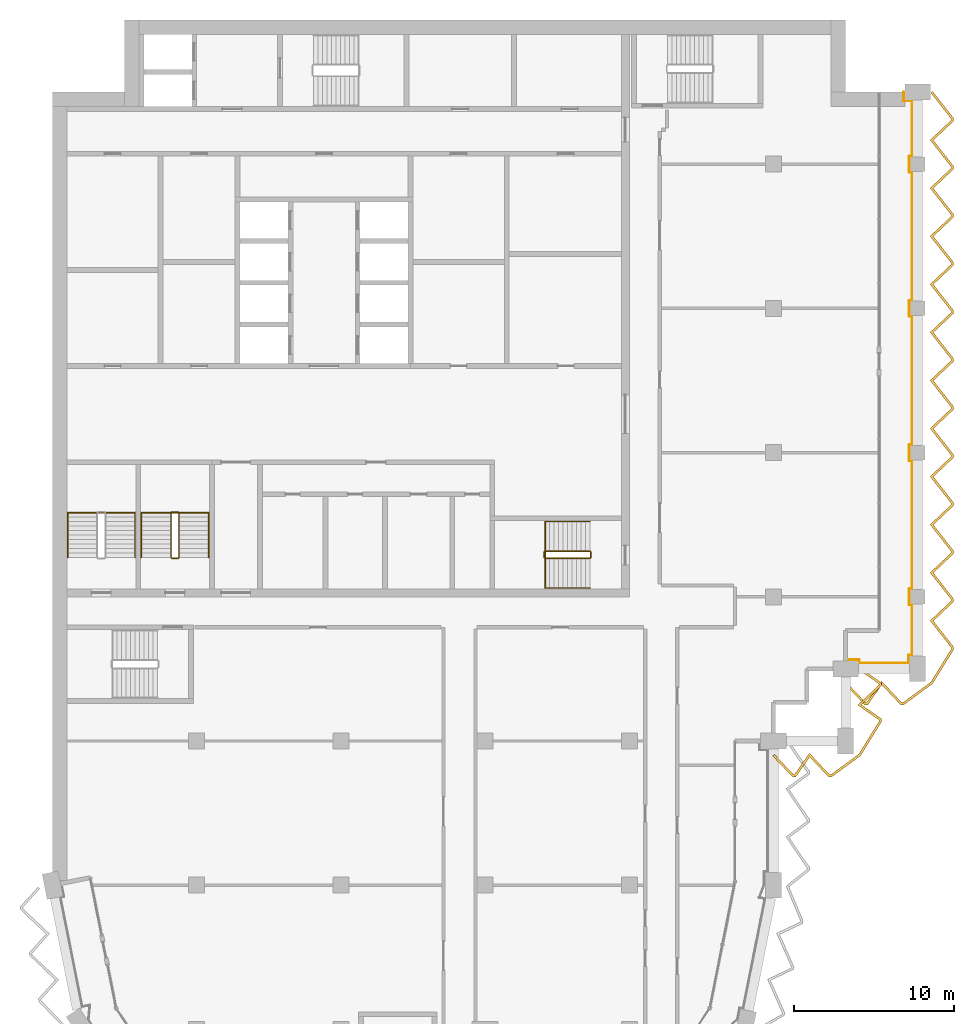
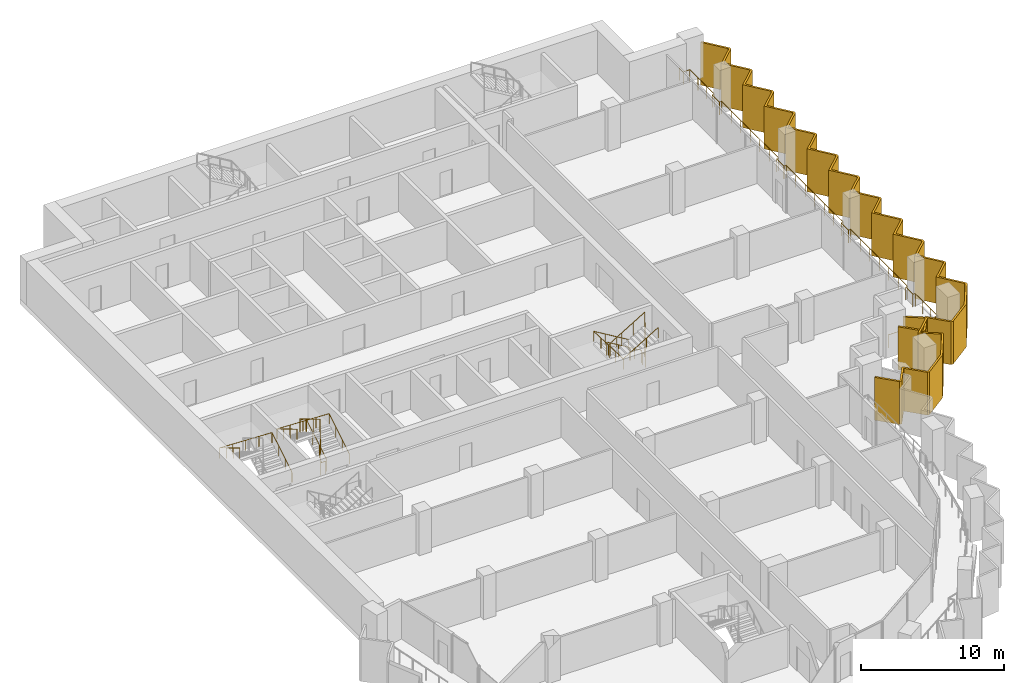
# One storey, part 15 of 16: 6 railings, 2 shading devices.
"""IFC4 building model written with IfcOpenShell, lengths in metres."""

from ifc_helpers import new_model, si_unit, direction, frame, origin, origin_2d, place, context, subcontext, project, spatial, polyline, circle, outline, extrude, material, layer, layer_set, type_object, element, save


model = new_model("IFC4")

# Units and contexts
model_context = context("Model", 3, precision=1e-05, world=origin(), true_north=direction((0.0, 1.0)))
body_context = subcontext(model_context, "Body", "Model", "MODEL_VIEW")
ifc_project = project(units=[si_unit("LENGTHUNIT", "METRE"), si_unit("AREAUNIT", "SQUARE_METRE"), si_unit("VOLUMEUNIT", "CUBIC_METRE"), si_unit("PLANEANGLEUNIT", "RADIAN"), si_unit("MASSUNIT", "GRAM", prefix="KILO")], contexts=[model_context])

# Site, building, storey
site_placement = place(None, origin())
site = spatial("IfcSite", under=ifc_project, at=site_placement, CompositionType="ELEMENT")
building_placement = place(site_placement, origin())
building = spatial("IfcBuilding", under=site, at=building_placement, Name="Hunhe Ridgeline Campus", CompositionType="ELEMENT")
storey_placement = place(building_placement, frame((0.0, 0.0, 239.199951171875)))
storey = spatial("IfcBuildingStorey", under=building, at=storey_placement, Name="L61", CompositionType="ELEMENT", Elevation=239.199951171875)

# Railing
ifc_material_1 = material(Name="Steel Q355", Category="steel")
railing_type_1 = type_object("IfcRailingType", Name="Loggia guard 1100 Steel Q355", PredefinedType="GUARDRAIL", material=ifc_material_1)
railing_1_placement = place(storey_placement, frame((49.5, 59.070068359375, 0.0)))
element("IfcRailing", 1, at=railing_1_placement, inside=storey, type_object=railing_type_1, Name="Loggia guard 2", PredefinedType="GUARDRAIL", context=body_context, shape_type="SweptSolid", body=[
    extrude(circle(Radius=0.02392578125, at=origin_2d()), frame((0.0, 0.0, 1.076171875), z_axis=(1.0, 0.0, 0.0), x_axis=(0.0, 1.0, 0.0)), (0.0, 0.0, 1.0), 0.85009765625),
    extrude(circle(Radius=0.02392578125, at=origin_2d()), frame((0.85009765625, 0.0, 1.076171875), z_axis=(0.0, -1.0, 0.0), x_axis=(1.0, 0.0, 0.0)), (0.0, 0.0, 1.0), 0.219970703125),
    extrude(circle(Radius=0.02392578125, at=origin_2d()), frame((0.85009765625, -0.219970703125, 1.076171875), z_axis=(1.0, 0.0, 0.0), x_axis=(0.0, 1.0, 0.0)), (0.0, 0.0, 1.0), 3.099853515625),
    extrude(circle(Radius=0.02392578125, at=origin_2d()), frame((3.949951171875, -0.219970703125, 1.076171875), z_axis=(0.0, 1.0, 0.0), x_axis=(-1.0, 0.0, 0.0)), (0.0, 0.0, 1.0), 0.52001953125),
    extrude(circle(Radius=0.02392578125, at=origin_2d()), frame((3.949951171875, 0.300048828125, 1.076171875), z_axis=(-0.066572895244, -0.99778156408, 0.0), x_axis=(0.99778156408, -0.066572895244, 0.0)), (0.0, 0.0, 1.0), 0.30078125),
    extrude(circle(Radius=0.02392578125, at=origin_2d()), frame((3.929931640625, 0.0, 1.076171875), z_axis=(0.0, 1.0, 0.0), x_axis=(-1.0, 0.0, 0.0)), (0.0, 0.0, 1.0), 0.280029296875),
    extrude(circle(Radius=0.02392578125, at=origin_2d()), frame((3.929931640625, 0.280029296875, 1.076171875), z_axis=(1.0, 0.0, 0.0), x_axis=(0.0, 1.0, 0.0)), (0.0, 0.0, 1.0), 0.219970703125),
    extrude(circle(Radius=0.02392578125, at=origin_2d()), frame((4.14990234375, 0.280029296875, 1.076171875), z_axis=(0.0, 1.0, 0.0), x_axis=(-1.0, 0.0, 0.0)), (0.0, 0.0, 1.0), 3.14990234375),
    extrude(circle(Radius=0.02392578125, at=origin_2d()), frame((4.14990234375, 3.429931640625, 1.076171875), z_axis=(-1.0, 0.0, 0.0), x_axis=(0.0, -1.0, 0.0)), (0.0, 0.0, 1.0), 0.169921875),
    extrude(circle(Radius=0.02392578125, at=origin_2d()), frame((3.97998046875, 3.429931640625, 1.076171875), z_axis=(0.0, 1.0, 0.0), x_axis=(-1.0, 0.0, 0.0)), (0.0, 0.0, 1.0), 1.0),
    extrude(circle(Radius=0.02392578125, at=origin_2d()), frame((3.97998046875, 4.429931640625, 1.076171875), z_axis=(1.0, 0.0, 0.0), x_axis=(0.0, 1.0, 0.0)), (0.0, 0.0, 1.0), 0.169921875),
    extrude(circle(Radius=0.02392578125, at=origin_2d()), frame((4.14990234375, 4.429931640625, 1.076171875), z_axis=(0.0, 1.0, 0.0), x_axis=(-1.0, 0.0, 0.0)), (0.0, 0.0, 1.0), 8.0),
    extrude(circle(Radius=0.02392578125, at=origin_2d()), frame((4.14990234375, 12.429931640625, 1.076171875), z_axis=(-1.0, 0.0, 0.0), x_axis=(0.0, -1.0, 0.0)), (0.0, 0.0, 1.0), 0.169921875),
    extrude(circle(Radius=0.02392578125, at=origin_2d()), frame((3.97998046875, 12.429931640625, 1.076171875), z_axis=(0.0, 1.0, 0.0), x_axis=(-1.0, 0.0, 0.0)), (0.0, 0.0, 1.0), 1.0),
    extrude(circle(Radius=0.02392578125, at=origin_2d()), frame((3.97998046875, 13.429931640625, 1.076171875), z_axis=(1.0, 0.0, 0.0), x_axis=(0.0, 1.0, 0.0)), (0.0, 0.0, 1.0), 0.169921875),
    extrude(circle(Radius=0.02392578125, at=origin_2d()), frame((4.14990234375, 13.429931640625, 1.076171875), z_axis=(0.0, 1.0, 0.0), x_axis=(-1.0, 0.0, 0.0)), (0.0, 0.0, 1.0), 8.0),
    extrude(circle(Radius=0.02392578125, at=origin_2d()), frame((4.14990234375, 21.429931640625, 1.076171875), z_axis=(-1.0, 0.0, 0.0), x_axis=(0.0, -1.0, 0.0)), (0.0, 0.0, 1.0), 0.169921875),
    extrude(circle(Radius=0.02392578125, at=origin_2d()), frame((3.97998046875, 21.429931640625, 1.076171875), z_axis=(0.0, 1.0, 0.0), x_axis=(-1.0, 0.0, 0.0)), (0.0, 0.0, 1.0), 1.0),
    extrude(circle(Radius=0.02392578125, at=origin_2d()), frame((3.97998046875, 22.429931640625, 1.076171875), z_axis=(1.0, 0.0, 0.0), x_axis=(0.0, 1.0, 0.0)), (0.0, 0.0, 1.0), 0.169921875),
    extrude(circle(Radius=0.02392578125, at=origin_2d()), frame((4.14990234375, 22.429931640625, 1.076171875), z_axis=(0.0, 1.0, 0.0), x_axis=(-1.0, 0.0, 0.0)), (0.0, 0.0, 1.0), 8.0),
    extrude(circle(Radius=0.02392578125, at=origin_2d()), frame((4.14990234375, 30.429931640625, 1.076171875), z_axis=(-1.0, 0.0, 0.0), x_axis=(0.0, -1.0, 0.0)), (0.0, 0.0, 1.0), 0.169921875),
    extrude(circle(Radius=0.02392578125, at=origin_2d()), frame((3.97998046875, 30.429931640625, 1.076171875), z_axis=(0.0, 1.0, 0.0), x_axis=(-1.0, 0.0, 0.0)), (0.0, 0.0, 1.0), 1.0),
    extrude(circle(Radius=0.02392578125, at=origin_2d()), frame((3.97998046875, 31.429931640625, 1.076171875), z_axis=(1.0, 0.0, 0.0), x_axis=(0.0, 1.0, 0.0)), (0.0, 0.0, 1.0), 0.169921875),
    extrude(circle(Radius=0.02392578125, at=origin_2d()), frame((4.14990234375, 31.429931640625, 1.076171875), z_axis=(0.0, 1.0, 0.0), x_axis=(-1.0, 0.0, 0.0)), (0.0, 0.0, 1.0), 3.449951171875),
    extrude(circle(Radius=0.02392578125, at=origin_2d()), frame((4.14990234375, 34.8798828125, 1.076171875), z_axis=(-1.0, 0.0, 0.0), x_axis=(0.0, -1.0, 0.0)), (0.0, 0.0, 1.0), 0.52001953125),
    extrude(circle(Radius=0.02392578125, at=origin_2d()), frame((3.6298828125, 34.8798828125, 1.076171875), z_axis=(0.0, 1.0, 0.0), x_axis=(-1.0, 0.0, 0.0)), (0.0, 0.0, 1.0), 0.550048828125),
    extrude(circle(Radius=0.02099609375, at=origin_2d()), origin(), (0.0, 0.0, 1.0), 1.052001953125),
    extrude(circle(Radius=0.02099609375, at=origin_2d()), frame((0.85009765625, 0.0, 0.0)), (0.0, 0.0, 1.0), 1.052001953125),
    extrude(circle(Radius=0.02099609375, at=origin_2d()), frame((0.85009765625, -0.219970703125, 0.0)), (0.0, 0.0, 1.0), 1.052001953125),
    extrude(circle(Radius=0.02099609375, at=origin_2d()), frame((1.88330078125, -0.219970703125, 0.0)), (0.0, 0.0, 1.0), 1.052001953125),
    extrude(circle(Radius=0.02099609375, at=origin_2d()), frame((2.916748046875, -0.219970703125, 0.0)), (0.0, 0.0, 1.0), 1.052001953125),
    extrude(circle(Radius=0.02099609375, at=origin_2d()), frame((3.949951171875, -0.219970703125, 0.0)), (0.0, 0.0, 1.0), 1.052001953125),
    extrude(circle(Radius=0.02099609375, at=origin_2d()), frame((3.949951171875, 0.300048828125, 0.0)), (0.0, 0.0, 1.0), 1.052001953125),
    extrude(circle(Radius=0.02099609375, at=origin_2d()), frame((3.929931640625, 0.0, 0.0)), (0.0, 0.0, 1.0), 1.052001953125),
    extrude(circle(Radius=0.02099609375, at=origin_2d()), frame((3.929931640625, 0.280029296875, 0.0)), (0.0, 0.0, 1.0), 1.052001953125),
    extrude(circle(Radius=0.02099609375, at=origin_2d()), frame((4.14990234375, 0.280029296875, 0.0)), (0.0, 0.0, 1.0), 1.052001953125),
    extrude(circle(Radius=0.02099609375, at=origin_2d()), frame((4.14990234375, 1.330078125, 0.0)), (0.0, 0.0, 1.0), 1.052001953125),
    extrude(circle(Radius=0.02099609375, at=origin_2d()), frame((4.14990234375, 2.3798828125, 0.0)), (0.0, 0.0, 1.0), 1.052001953125),
    extrude(circle(Radius=0.02099609375, at=origin_2d()), frame((4.14990234375, 3.429931640625, 0.0)), (0.0, 0.0, 1.0), 1.052001953125),
    extrude(circle(Radius=0.02099609375, at=origin_2d()), frame((3.97998046875, 3.429931640625, 0.0)), (0.0, 0.0, 1.0), 1.052001953125),
    extrude(circle(Radius=0.02099609375, at=origin_2d()), frame((3.97998046875, 4.429931640625, 0.0)), (0.0, 0.0, 1.0), 1.052001953125),
    extrude(circle(Radius=0.02099609375, at=origin_2d()), frame((4.14990234375, 4.429931640625, 0.0)), (0.0, 0.0, 1.0), 1.052001953125),
    extrude(circle(Radius=0.02099609375, at=origin_2d()), frame((4.14990234375, 5.76318359375, 0.0)), (0.0, 0.0, 1.0), 1.052001953125),
    extrude(circle(Radius=0.02099609375, at=origin_2d()), frame((4.14990234375, 7.0966796875, 0.0)), (0.0, 0.0, 1.0), 1.052001953125),
    extrude(circle(Radius=0.02099609375, at=origin_2d()), frame((4.14990234375, 8.429931640625, 0.0)), (0.0, 0.0, 1.0), 1.052001953125),
    extrude(circle(Radius=0.02099609375, at=origin_2d()), frame((4.14990234375, 9.76318359375, 0.0)), (0.0, 0.0, 1.0), 1.052001953125),
    extrude(circle(Radius=0.02099609375, at=origin_2d()), frame((4.14990234375, 11.0966796875, 0.0)), (0.0, 0.0, 1.0), 1.052001953125),
    extrude(circle(Radius=0.02099609375, at=origin_2d()), frame((4.14990234375, 12.429931640625, 0.0)), (0.0, 0.0, 1.0), 1.052001953125),
    extrude(circle(Radius=0.02099609375, at=origin_2d()), frame((3.97998046875, 12.429931640625, 0.0)), (0.0, 0.0, 1.0), 1.052001953125),
    extrude(circle(Radius=0.02099609375, at=origin_2d()), frame((3.97998046875, 13.429931640625, 0.0)), (0.0, 0.0, 1.0), 1.052001953125),
    extrude(circle(Radius=0.02099609375, at=origin_2d()), frame((4.14990234375, 13.429931640625, 0.0)), (0.0, 0.0, 1.0), 1.052001953125),
    extrude(circle(Radius=0.02099609375, at=origin_2d()), frame((4.14990234375, 14.76318359375, 0.0)), (0.0, 0.0, 1.0), 1.052001953125),
    extrude(circle(Radius=0.02099609375, at=origin_2d()), frame((4.14990234375, 16.0966796875, 0.0)), (0.0, 0.0, 1.0), 1.052001953125),
    extrude(circle(Radius=0.02099609375, at=origin_2d()), frame((4.14990234375, 17.429931640625, 0.0)), (0.0, 0.0, 1.0), 1.052001953125),
    extrude(circle(Radius=0.02099609375, at=origin_2d()), frame((4.14990234375, 18.76318359375, 0.0)), (0.0, 0.0, 1.0), 1.052001953125),
    extrude(circle(Radius=0.02099609375, at=origin_2d()), frame((4.14990234375, 20.0966796875, 0.0)), (0.0, 0.0, 1.0), 1.052001953125),
    extrude(circle(Radius=0.02099609375, at=origin_2d()), frame((4.14990234375, 21.429931640625, 0.0)), (0.0, 0.0, 1.0), 1.052001953125),
    extrude(circle(Radius=0.02099609375, at=origin_2d()), frame((3.97998046875, 21.429931640625, 0.0)), (0.0, 0.0, 1.0), 1.052001953125),
    extrude(circle(Radius=0.02099609375, at=origin_2d()), frame((3.97998046875, 22.429931640625, 0.0)), (0.0, 0.0, 1.0), 1.052001953125),
    extrude(circle(Radius=0.02099609375, at=origin_2d()), frame((4.14990234375, 22.429931640625, 0.0)), (0.0, 0.0, 1.0), 1.052001953125),
    extrude(circle(Radius=0.02099609375, at=origin_2d()), frame((4.14990234375, 23.76318359375, 0.0)), (0.0, 0.0, 1.0), 1.052001953125),
    extrude(circle(Radius=0.02099609375, at=origin_2d()), frame((4.14990234375, 25.0966796875, 0.0)), (0.0, 0.0, 1.0), 1.052001953125),
    extrude(circle(Radius=0.02099609375, at=origin_2d()), frame((4.14990234375, 26.429931640625, 0.0)), (0.0, 0.0, 1.0), 1.052001953125),
    extrude(circle(Radius=0.02099609375, at=origin_2d()), frame((4.14990234375, 27.76318359375, 0.0)), (0.0, 0.0, 1.0), 1.052001953125),
    extrude(circle(Radius=0.02099609375, at=origin_2d()), frame((4.14990234375, 29.0966796875, 0.0)), (0.0, 0.0, 1.0), 1.052001953125),
    extrude(circle(Radius=0.02099609375, at=origin_2d()), frame((4.14990234375, 30.429931640625, 0.0)), (0.0, 0.0, 1.0), 1.052001953125),
    extrude(circle(Radius=0.02099609375, at=origin_2d()), frame((3.97998046875, 30.429931640625, 0.0)), (0.0, 0.0, 1.0), 1.052001953125),
    extrude(circle(Radius=0.02099609375, at=origin_2d()), frame((3.97998046875, 31.429931640625, 0.0)), (0.0, 0.0, 1.0), 1.052001953125),
    extrude(circle(Radius=0.02099609375, at=origin_2d()), frame((4.14990234375, 31.429931640625, 0.0)), (0.0, 0.0, 1.0), 1.052001953125),
    extrude(circle(Radius=0.02099609375, at=origin_2d()), frame((4.14990234375, 32.579833984375, 0.0)), (0.0, 0.0, 1.0), 1.052001953125),
    extrude(circle(Radius=0.02099609375, at=origin_2d()), frame((4.14990234375, 33.72998046875, 0.0)), (0.0, 0.0, 1.0), 1.052001953125),
    extrude(circle(Radius=0.02099609375, at=origin_2d()), frame((4.14990234375, 34.8798828125, 0.0)), (0.0, 0.0, 1.0), 1.052001953125),
    extrude(circle(Radius=0.02099609375, at=origin_2d()), frame((3.6298828125, 34.8798828125, 0.0)), (0.0, 0.0, 1.0), 1.052001953125),
    extrude(circle(Radius=0.02099609375, at=origin_2d()), frame((3.6298828125, 35.429931640625, 0.0)), (0.0, 0.0, 1.0), 1.052001953125),
])

# Shading devices
ifc_material_2 = material(Name="Concrete C50", Category="concrete")
ifc_layer = layer(ifc_material_2, 0.14990234375)
ifc_layer_set = layer_set([ifc_layer], Name="Sawtooth concrete fin 150 Concrete C50")
shading_device_type = type_object("IfcShadingDeviceType", Name="Sawtooth concrete fin 150 Concrete C50", PredefinedType="USERDEFINED", material=ifc_layer_set)
shading_device_1_placement = place(storey_placement, frame((0.0, 0.0, -0.949951171875)))
element("IfcShadingDevice", 2, at=shading_device_1_placement, inside=storey, type_object=shading_device_type, Name="Concrete fin screen 2", ObjectType="FIN", PredefinedType="USERDEFINED", context=body_context, shape_type="SweptSolid", body=[
    extrude(outline(polyline([(45.054443359375, 53.176513671875), (44.945556640625, 53.073486328125), (46.19384765625, 51.75), (46.38525390625, 51.75), (47.2587890625, 53.00634765625), (48.44384765625, 51.75), (48.62060546875, 51.75), (50.43115234375, 53.072998046875), (51.75, 55.204833984375), (51.75, 55.38525390625), (50.49365234375, 56.2587890625), (51.75, 57.44384765625), (51.75, 57.63525390625), (50.417724609375, 58.5615234375), (50.332275390625, 58.4384765625), (51.60009765625, 57.556884765625), (51.60009765625, 57.508544921875), (50.25634765625, 56.2412109375), (51.60009765625, 55.306884765625), (51.60009765625, 55.24755859375), (50.31884765625, 53.177001953125), (48.571533203125, 51.89990234375), (48.508544921875, 51.89990234375), (47.2412109375, 53.24365234375), (46.306884765625, 51.89990234375), (46.258544921875, 51.89990234375), (45.054443359375, 53.176513671875)])), origin(), (0.0, 0.0, 1.0), 3.64990234375),
])
shading_device_2_placement = place(storey_placement, frame((0.0, 0.0, -0.949951171875)))
element("IfcShadingDevice", 3, at=shading_device_2_placement, inside=storey, type_object=shading_device_type, Name="Concrete fin screen 3", ObjectType="FIN", PredefinedType="USERDEFINED", context=body_context, shape_type="SweptSolid", body=[
    extrude(outline(polyline([(49.554443359375, 57.676513671875), (49.445556640625, 57.573486328125), (50.69384765625, 56.25), (50.88525390625, 56.25), (51.7587890625, 57.50634765625), (52.94384765625, 56.25), (53.12060546875, 56.25), (54.93115234375, 57.572998046875), (56.25, 59.704833984375), (56.25, 59.8720703125), (54.976318359375, 61.492431640625), (56.25, 62.69384765625), (56.25, 62.8720703125), (54.976318359375, 64.492431640625), (56.25, 65.69384765625), (56.25, 65.8720703125), (54.976318359375, 67.492431640625), (56.25, 68.69384765625), (56.25, 68.8720703125), (54.976318359375, 70.492431640625), (56.25, 71.69384765625), (56.25, 71.8720703125), (54.976318359375, 73.492431640625), (56.25, 74.69384765625), (56.25, 74.8720703125), (54.976318359375, 76.492431640625), (56.25, 77.69384765625), (56.25, 77.8720703125), (54.976318359375, 79.492431640625), (56.25, 80.69384765625), (56.25, 80.8720703125), (54.976318359375, 82.492431640625), (56.25, 83.69384765625), (56.25, 83.8720703125), (54.976318359375, 85.492431640625), (56.25, 86.69384765625), (56.25, 86.8720703125), (54.976318359375, 88.492431640625), (56.25, 89.69384765625), (56.25, 89.8720703125), (54.976318359375, 91.492431640625), (56.25, 92.69384765625), (56.25, 92.8720703125), (54.93408203125, 94.54638671875), (54.81591796875, 94.45361328125), (56.10009765625, 92.820068359375), (56.10009765625, 92.758544921875), (54.773681640625, 91.507568359375), (56.10009765625, 89.820068359375), (56.10009765625, 89.758544921875), (54.773681640625, 88.507568359375), (56.10009765625, 86.820068359375), (56.10009765625, 86.758544921875), (54.773681640625, 85.507568359375), (56.10009765625, 83.820068359375), (56.10009765625, 83.758544921875), (54.773681640625, 82.507568359375), (56.10009765625, 80.820068359375), (56.10009765625, 80.758544921875), (54.773681640625, 79.507568359375), (56.10009765625, 77.820068359375), (56.10009765625, 77.758544921875), (54.773681640625, 76.507568359375), (56.10009765625, 74.820068359375), (56.10009765625, 74.758544921875), (54.773681640625, 73.507568359375), (56.10009765625, 71.820068359375), (56.10009765625, 71.758544921875), (54.773681640625, 70.507568359375), (56.10009765625, 68.820068359375), (56.10009765625, 68.758544921875), (54.773681640625, 67.507568359375), (56.10009765625, 65.820068359375), (56.10009765625, 65.758544921875), (54.773681640625, 64.507568359375), (56.10009765625, 62.820068359375), (56.10009765625, 62.758544921875), (54.773681640625, 61.507568359375), (56.10009765625, 59.820068359375), (56.10009765625, 59.74755859375), (54.81884765625, 57.677001953125), (53.071533203125, 56.39990234375), (53.008544921875, 56.39990234375), (51.7412109375, 57.74365234375), (50.806884765625, 56.39990234375), (50.758544921875, 56.39990234375), (49.554443359375, 57.676513671875)])), origin(), (0.0, 0.0, 1.0), 3.64990234375),
])

# Railings
ifc_material_3 = material(Name="Stainless steel balustrade", Category="steel")
railing_type_2 = type_object("IfcRailingType", Name="Stair guard 1100 stainless", PredefinedType="GUARDRAIL", material=ifc_material_3)
railing_2_placement = place(storey_placement, frame((33.550048828125, 65.85009765625, 0.168212890625)))
element("IfcRailing", 4, at=railing_2_placement, inside=storey, type_object=railing_type_2, Name="L61 stair S2 guard", PredefinedType="GUARDRAIL", context=body_context, shape_type="SweptSolid", body=[
    extrude(circle(Radius=0.02392578125, at=origin_2d()), frame((0.0, 0.0, 1.076171875), z_axis=(-0.857242210791, 0.0, 0.514913383045), x_axis=(0.0, -1.0, 0.0)), (0.0, 0.0, 1.0), 3.266357421875),
    extrude(circle(Radius=0.02392578125, at=origin_2d()), frame((-2.800048828125, 0.0, 2.7578125), z_axis=(-0.707106781187, -0.707106781187, 0.0), x_axis=(0.707106781187, -0.707106781187, 0.0)), (0.0, 0.0, 1.0), 0.07080078125),
    extrude(circle(Radius=0.02392578125, at=origin_2d()), frame((-2.85009765625, -0.050048828125, 2.7578125), z_axis=(0.0, -1.0, 0.0), x_axis=(1.0, 0.0, 0.0)), (0.0, 0.0, 1.0), 0.35009765625),
    extrude(circle(Radius=0.02392578125, at=origin_2d()), frame((-2.85009765625, -0.400146484375, 2.7578125), z_axis=(0.274243871929, -0.274243871929, 0.92172696468), x_axis=(0.707106781187, 0.707106781187, 0.0)), (0.0, 0.0, 1.0), 0.1826171875),
    extrude(circle(Radius=0.02392578125, at=origin_2d()), frame((-2.800048828125, -0.4501953125, 2.92626953125), z_axis=(0.857275202839, 0.0, 0.514858452973), x_axis=(0.0, 1.0, 0.0)), (0.0, 0.0, 1.0), 3.26611328125),
    extrude(circle(Radius=0.02392578125, at=origin_2d()), frame((0.0, -0.4501953125, 4.60791015625), z_axis=(0.013524414389, 0.013524414389, -0.999817073484), x_axis=(-0.707106781187, 0.707106781187, 0.0)), (0.0, 0.0, 1.0), 3.70068359375),
    extrude(circle(Radius=0.02392578125, at=origin_2d()), frame((0.050048828125, -0.400146484375, 0.90771484375), z_axis=(0.0, 1.0, 0.0), x_axis=(-1.0, 0.0, 0.0)), (0.0, 0.0, 1.0), 0.35009765625),
    extrude(circle(Radius=0.02099609375, at=origin_2d()), origin(), (0.0, 0.0, 1.0), 1.052001953125),
    extrude(circle(Radius=0.02099609375, at=origin_2d()), frame((-0.933349609375, 0.0, 0.560546875)), (0.0, 0.0, 1.0), 1.052001953125),
    extrude(circle(Radius=0.02099609375, at=origin_2d()), frame((-1.86669921875, 0.0, 1.121337890625)), (0.0, 0.0, 1.0), 1.052001953125),
    extrude(circle(Radius=0.02099609375, at=origin_2d()), frame((-2.800048828125, 0.0, 1.681884765625)), (0.0, 0.0, 1.0), 1.052001953125),
    extrude(circle(Radius=0.02099609375, at=origin_2d()), frame((-2.85009765625, -0.050048828125, 1.681884765625)), (0.0, 0.0, 1.0), 1.052001953125),
    extrude(circle(Radius=0.02099609375, at=origin_2d()), frame((-2.85009765625, -0.400146484375, 1.681884765625)), (0.0, 0.0, 1.0), 1.052001953125),
    extrude(circle(Radius=0.02099609375, at=origin_2d()), frame((-2.800048828125, -0.4501953125, 1.85009765625)), (0.0, 0.0, 1.0), 1.052001953125),
    extrude(circle(Radius=0.02099609375, at=origin_2d()), frame((-1.86669921875, -0.4501953125, 2.41064453125)), (0.0, 0.0, 1.0), 1.052001953125),
    extrude(circle(Radius=0.02099609375, at=origin_2d()), frame((-0.933349609375, -0.4501953125, 2.97119140625)), (0.0, 0.0, 1.0), 1.052001953125),
    extrude(circle(Radius=0.02099609375, at=origin_2d()), frame((0.0, -0.4501953125, 3.53173828125)), (0.0, 0.0, 1.0), 1.052001953125),
    extrude(circle(Radius=0.02099609375, at=origin_2d()), frame((0.012451171875, -0.437744140625, 2.606689453125)), (0.0, 0.0, 1.0), 1.052001953125),
    extrude(circle(Radius=0.02099609375, at=origin_2d()), frame((0.02490234375, -0.42529296875, 1.681640625)), (0.0, 0.0, 1.0), 1.052001953125),
    extrude(circle(Radius=0.02099609375, at=origin_2d()), frame((0.03759765625, -0.41259765625, 0.7568359375)), (0.0, 0.0, 1.0), 1.052001953125),
    extrude(circle(Radius=0.02099609375, at=origin_2d()), frame((0.050048828125, -0.400146484375, -0.168212890625)), (0.0, 0.0, 1.0), 1.052001953125),
    extrude(circle(Radius=0.02099609375, at=origin_2d()), frame((0.050048828125, -0.050048828125, -0.168212890625)), (0.0, 0.0, 1.0), 1.052001953125),
])
railing_3_placement = place(storey_placement, frame((7.89990234375, 65.449951171875, 0.168212890625)))
element("IfcRailing", 5, at=railing_3_placement, inside=storey, type_object=railing_type_2, Name="L61 stair S4 guard", PredefinedType="GUARDRAIL", context=body_context, shape_type="SweptSolid", body=[
    extrude(circle(Radius=0.02392578125, at=origin_2d()), frame((0.0, 0.0, 1.076171875), z_axis=(0.0, 0.857242210791, 0.514913383045), x_axis=(-1.0, 0.0, 0.0)), (0.0, 0.0, 1.0), 3.266357421875),
    extrude(circle(Radius=0.02392578125, at=origin_2d()), frame((0.0, 2.800048828125, 2.7578125), z_axis=(-0.705375805398, 0.708833529934, 0.0), x_axis=(-0.708833529934, -0.705375805398, 0.0)), (0.0, 0.0, 1.0), 0.070556640625),
    extrude(circle(Radius=0.02392578125, at=origin_2d()), frame((-0.0498046875, 2.85009765625, 2.7578125), z_axis=(-1.0, 0.0, 0.0), x_axis=(0.0, -1.0, 0.0)), (0.0, 0.0, 1.0), 0.400146484375),
    extrude(circle(Radius=0.02392578125, at=origin_2d()), frame((-0.449951171875, 2.85009765625, 2.7578125), z_axis=(-0.274243871929, -0.274243871929, 0.92172696468), x_axis=(0.707106781187, -0.707106781187, 0.0)), (0.0, 0.0, 1.0), 0.1826171875),
    extrude(circle(Radius=0.02392578125, at=origin_2d()), frame((-0.5, 2.800048828125, 2.92626953125), z_axis=(0.0, -0.857275202839, 0.514858452973), x_axis=(1.0, 0.0, 0.0)), (0.0, 0.0, 1.0), 3.26611328125),
    extrude(circle(Radius=0.02392578125, at=origin_2d()), frame((-0.5, 0.0, 4.60791015625), z_axis=(0.013524414389, -0.013524414389, -0.999817073484), x_axis=(0.707106781187, 0.707106781187, 0.0)), (0.0, 0.0, 1.0), 3.70068359375),
    extrude(circle(Radius=0.02392578125, at=origin_2d()), frame((-0.449951171875, -0.050048828125, 0.90771484375), z_axis=(1.0, 0.0, 0.0), x_axis=(0.0, 1.0, 0.0)), (0.0, 0.0, 1.0), 0.400146484375),
    extrude(circle(Radius=0.02099609375, at=origin_2d()), origin(), (0.0, 0.0, 1.0), 1.052001953125),
    extrude(circle(Radius=0.02099609375, at=origin_2d()), frame((0.0, 0.933349609375, 0.560546875)), (0.0, 0.0, 1.0), 1.052001953125),
    extrude(circle(Radius=0.02099609375, at=origin_2d()), frame((0.0, 1.86669921875, 1.121337890625)), (0.0, 0.0, 1.0), 1.052001953125),
    extrude(circle(Radius=0.02099609375, at=origin_2d()), frame((0.0, 2.800048828125, 1.681884765625)), (0.0, 0.0, 1.0), 1.052001953125),
    extrude(circle(Radius=0.02099609375, at=origin_2d()), frame((-0.0498046875, 2.85009765625, 1.681884765625)), (0.0, 0.0, 1.0), 1.052001953125),
    extrude(circle(Radius=0.02099609375, at=origin_2d()), frame((-0.449951171875, 2.85009765625, 1.681884765625)), (0.0, 0.0, 1.0), 1.052001953125),
    extrude(circle(Radius=0.02099609375, at=origin_2d()), frame((-0.5, 2.800048828125, 1.85009765625)), (0.0, 0.0, 1.0), 1.052001953125),
    extrude(circle(Radius=0.02099609375, at=origin_2d()), frame((-0.5, 1.86669921875, 2.41064453125)), (0.0, 0.0, 1.0), 1.052001953125),
    extrude(circle(Radius=0.02099609375, at=origin_2d()), frame((-0.5, 0.933349609375, 2.97119140625)), (0.0, 0.0, 1.0), 1.052001953125),
    extrude(circle(Radius=0.02099609375, at=origin_2d()), frame((-0.5, 0.0, 3.53173828125)), (0.0, 0.0, 1.0), 1.052001953125),
    extrude(circle(Radius=0.02099609375, at=origin_2d()), frame((-0.487548828125, -0.012451171875, 2.606689453125)), (0.0, 0.0, 1.0), 1.052001953125),
    extrude(circle(Radius=0.02099609375, at=origin_2d()), frame((-0.47509765625, -0.02490234375, 1.681640625)), (0.0, 0.0, 1.0), 1.052001953125),
    extrude(circle(Radius=0.02099609375, at=origin_2d()), frame((-0.46240234375, -0.03759765625, 0.7568359375)), (0.0, 0.0, 1.0), 1.052001953125),
    extrude(circle(Radius=0.02099609375, at=origin_2d()), frame((-0.449951171875, -0.050048828125, -0.168212890625)), (0.0, 0.0, 1.0), 1.052001953125),
    extrude(circle(Radius=0.02099609375, at=origin_2d()), frame((-0.0498046875, -0.050048828125, -0.168212890625)), (0.0, 0.0, 1.0), 1.052001953125),
])
ifc_material_4 = material(Name="Stainless steel handrail", Category="steel")
railing_type_3 = type_object("IfcRailingType", Name="Stair handrail 900 stainless", PredefinedType="HANDRAIL", material=ifc_material_4)
railing_4_placement = place(storey_placement, frame((33.550048828125, 67.699951171875, 0.168212890625)))
element("IfcRailing", 6, at=railing_4_placement, inside=storey, type_object=railing_type_3, Name="L61 stair S2 handrail", PredefinedType="HANDRAIL", context=body_context, shape_type="SweptSolid", body=[
    extrude(circle(Radius=0.02392578125, at=origin_2d()), frame((0.0, 0.0, 0.8759765625), z_axis=(-0.857242210791, 0.0, 0.514913383045), x_axis=(0.0, -1.0, 0.0)), (0.0, 0.0, 1.0), 3.266357421875),
    extrude(circle(Radius=0.02392578125, at=origin_2d()), frame((-2.800048828125, 0.0, 2.5576171875), z_axis=(0.0, -0.99917950104, 0.040500922239), x_axis=(1.0, 0.0, 0.0)), (0.0, 0.0, 1.0), 4.1533203125),
    extrude(circle(Radius=0.02392578125, at=origin_2d()), frame((-2.800048828125, -4.14990234375, 2.72607421875), z_axis=(0.857275202839, 0.0, 0.514858452973), x_axis=(0.0, 1.0, 0.0)), (0.0, 0.0, 1.0), 3.26611328125),
    extrude(circle(Radius=0.02099609375, at=origin_2d()), origin(), (0.0, 0.0, 1.0), 0.851806640625),
    extrude(circle(Radius=0.02099609375, at=origin_2d()), frame((-0.933349609375, 0.0, 0.560546875)), (0.0, 0.0, 1.0), 0.851806640625),
    extrude(circle(Radius=0.02099609375, at=origin_2d()), frame((-1.86669921875, 0.0, 1.121337890625)), (0.0, 0.0, 1.0), 0.851806640625),
    extrude(circle(Radius=0.02099609375, at=origin_2d()), frame((-2.800048828125, 0.0, 1.681884765625)), (0.0, 0.0, 1.0), 0.851806640625),
    extrude(circle(Radius=0.02099609375, at=origin_2d()), frame((-2.800048828125, -1.03759765625, 1.723876953125)), (0.0, 0.0, 1.0), 0.851806640625),
    extrude(circle(Radius=0.02099609375, at=origin_2d()), frame((-2.800048828125, -2.074951171875, 1.76611328125)), (0.0, 0.0, 1.0), 0.851806640625),
    extrude(circle(Radius=0.02099609375, at=origin_2d()), frame((-2.800048828125, -3.1123046875, 1.80810546875)), (0.0, 0.0, 1.0), 0.851806640625),
    extrude(circle(Radius=0.02099609375, at=origin_2d()), frame((-2.800048828125, -4.14990234375, 1.85009765625)), (0.0, 0.0, 1.0), 0.851806640625),
    extrude(circle(Radius=0.02099609375, at=origin_2d()), frame((-1.86669921875, -4.14990234375, 2.41064453125)), (0.0, 0.0, 1.0), 0.851806640625),
    extrude(circle(Radius=0.02099609375, at=origin_2d()), frame((-0.933349609375, -4.14990234375, 2.97119140625)), (0.0, 0.0, 1.0), 0.851806640625),
    extrude(circle(Radius=0.02099609375, at=origin_2d()), frame((0.0, -4.14990234375, 3.53173828125)), (0.0, 0.0, 1.0), 0.851806640625),
])
railing_5_placement = place(storey_placement, frame((5.14990234375, 65.449951171875, 0.168212890625)))
element("IfcRailing", 7, at=railing_5_placement, inside=storey, type_object=railing_type_3, Name="L61 stair S3 handrail", PredefinedType="HANDRAIL", context=body_context, shape_type="SweptSolid", body=[
    extrude(circle(Radius=0.02392578125, at=origin_2d()), frame((0.0, 0.0, 0.8759765625), z_axis=(0.0, 0.857242210791, 0.514913383045), x_axis=(-1.0, 0.0, 0.0)), (0.0, 0.0, 1.0), 3.266357421875),
    extrude(circle(Radius=0.02392578125, at=origin_2d()), frame((0.0, 2.800048828125, 2.5576171875), z_axis=(-0.999198916169, 0.0, 0.040019069537), x_axis=(0.0, -1.0, 0.0)), (0.0, 0.0, 1.0), 4.203369140625),
    extrude(circle(Radius=0.02392578125, at=origin_2d()), frame((-4.199951171875, 2.800048828125, 2.72607421875), z_axis=(0.0, -0.857275202839, 0.514858452973), x_axis=(1.0, 0.0, 0.0)), (0.0, 0.0, 1.0), 3.26611328125),
    extrude(circle(Radius=0.02099609375, at=origin_2d()), origin(), (0.0, 0.0, 1.0), 0.851806640625),
    extrude(circle(Radius=0.02099609375, at=origin_2d()), frame((0.0, 0.933349609375, 0.560546875)), (0.0, 0.0, 1.0), 0.851806640625),
    extrude(circle(Radius=0.02099609375, at=origin_2d()), frame((0.0, 1.86669921875, 1.121337890625)), (0.0, 0.0, 1.0), 0.851806640625),
    extrude(circle(Radius=0.02099609375, at=origin_2d()), frame((0.0, 2.800048828125, 1.681884765625)), (0.0, 0.0, 1.0), 0.851806640625),
    extrude(circle(Radius=0.02099609375, at=origin_2d()), frame((-1.050048828125, 2.800048828125, 1.723876953125)), (0.0, 0.0, 1.0), 0.851806640625),
    extrude(circle(Radius=0.02099609375, at=origin_2d()), frame((-2.10009765625, 2.800048828125, 1.76611328125)), (0.0, 0.0, 1.0), 0.851806640625),
    extrude(circle(Radius=0.02099609375, at=origin_2d()), frame((-3.14990234375, 2.800048828125, 1.80810546875)), (0.0, 0.0, 1.0), 0.851806640625),
    extrude(circle(Radius=0.02099609375, at=origin_2d()), frame((-4.199951171875, 2.800048828125, 1.85009765625)), (0.0, 0.0, 1.0), 0.851806640625),
    extrude(circle(Radius=0.02099609375, at=origin_2d()), frame((-4.199951171875, 1.86669921875, 2.41064453125)), (0.0, 0.0, 1.0), 0.851806640625),
    extrude(circle(Radius=0.02099609375, at=origin_2d()), frame((-4.199951171875, 0.933349609375, 2.97119140625)), (0.0, 0.0, 1.0), 0.851806640625),
    extrude(circle(Radius=0.02099609375, at=origin_2d()), frame((-4.199951171875, 0.0, 3.53173828125)), (0.0, 0.0, 1.0), 0.851806640625),
])
railing_6_placement = place(storey_placement, frame((9.75, 65.449951171875, 0.168212890625)))
element("IfcRailing", 8, at=railing_6_placement, inside=storey, type_object=railing_type_3, Name="L61 stair S4 handrail", PredefinedType="HANDRAIL", context=body_context, shape_type="SweptSolid", body=[
    extrude(circle(Radius=0.02392578125, at=origin_2d()), frame((0.0, 0.0, 0.8759765625), z_axis=(0.0, 0.857242210791, 0.514913383045), x_axis=(-1.0, 0.0, 0.0)), (0.0, 0.0, 1.0), 3.266357421875),
    extrude(circle(Radius=0.02392578125, at=origin_2d()), frame((0.0, 2.800048828125, 2.5576171875), z_axis=(-0.999198916169, 0.0, 0.040019069537), x_axis=(0.0, -1.0, 0.0)), (0.0, 0.0, 1.0), 4.203369140625),
    extrude(circle(Radius=0.02392578125, at=origin_2d()), frame((-4.199951171875, 2.800048828125, 2.72607421875), z_axis=(0.0, -0.857275202839, 0.514858452973), x_axis=(1.0, 0.0, 0.0)), (0.0, 0.0, 1.0), 3.26611328125),
    extrude(circle(Radius=0.02099609375, at=origin_2d()), origin(), (0.0, 0.0, 1.0), 0.851806640625),
    extrude(circle(Radius=0.02099609375, at=origin_2d()), frame((0.0, 0.933349609375, 0.560546875)), (0.0, 0.0, 1.0), 0.851806640625),
    extrude(circle(Radius=0.02099609375, at=origin_2d()), frame((0.0, 1.86669921875, 1.121337890625)), (0.0, 0.0, 1.0), 0.851806640625),
    extrude(circle(Radius=0.02099609375, at=origin_2d()), frame((0.0, 2.800048828125, 1.681884765625)), (0.0, 0.0, 1.0), 0.851806640625),
    extrude(circle(Radius=0.02099609375, at=origin_2d()), frame((-1.050048828125, 2.800048828125, 1.723876953125)), (0.0, 0.0, 1.0), 0.851806640625),
    extrude(circle(Radius=0.02099609375, at=origin_2d()), frame((-2.10009765625, 2.800048828125, 1.76611328125)), (0.0, 0.0, 1.0), 0.851806640625),
    extrude(circle(Radius=0.02099609375, at=origin_2d()), frame((-3.14990234375, 2.800048828125, 1.80810546875)), (0.0, 0.0, 1.0), 0.851806640625),
    extrude(circle(Radius=0.02099609375, at=origin_2d()), frame((-4.199951171875, 2.800048828125, 1.85009765625)), (0.0, 0.0, 1.0), 0.851806640625),
    extrude(circle(Radius=0.02099609375, at=origin_2d()), frame((-4.199951171875, 1.86669921875, 2.41064453125)), (0.0, 0.0, 1.0), 0.851806640625),
    extrude(circle(Radius=0.02099609375, at=origin_2d()), frame((-4.199951171875, 0.933349609375, 2.97119140625)), (0.0, 0.0, 1.0), 0.851806640625),
    extrude(circle(Radius=0.02099609375, at=origin_2d()), frame((-4.199951171875, 0.0, 3.53173828125)), (0.0, 0.0, 1.0), 0.851806640625),
])

save(model, "model.ifc")
